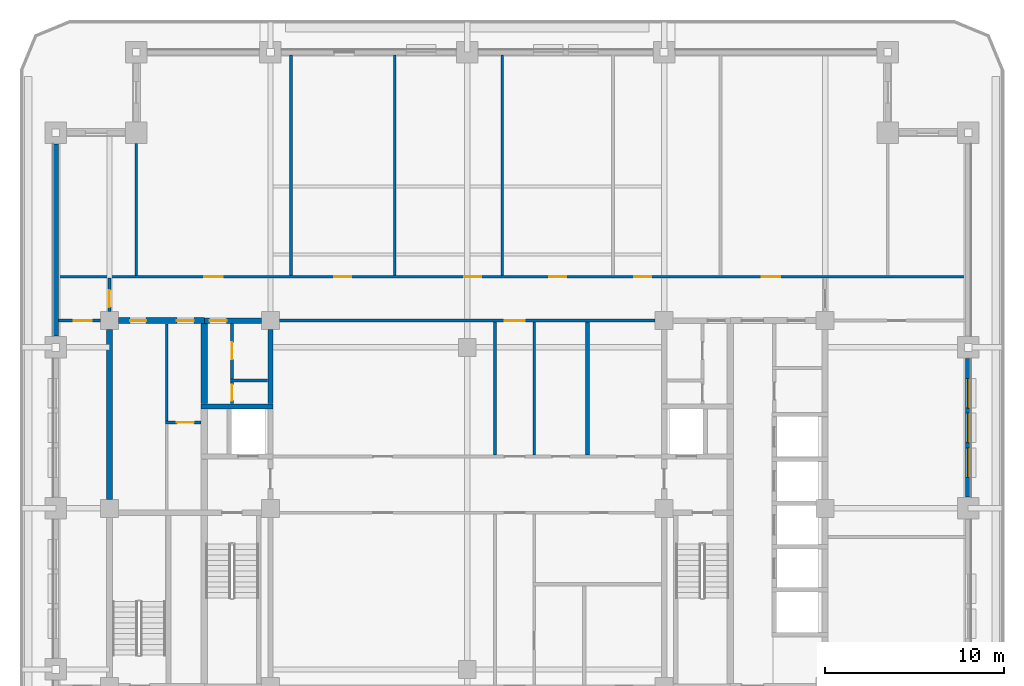
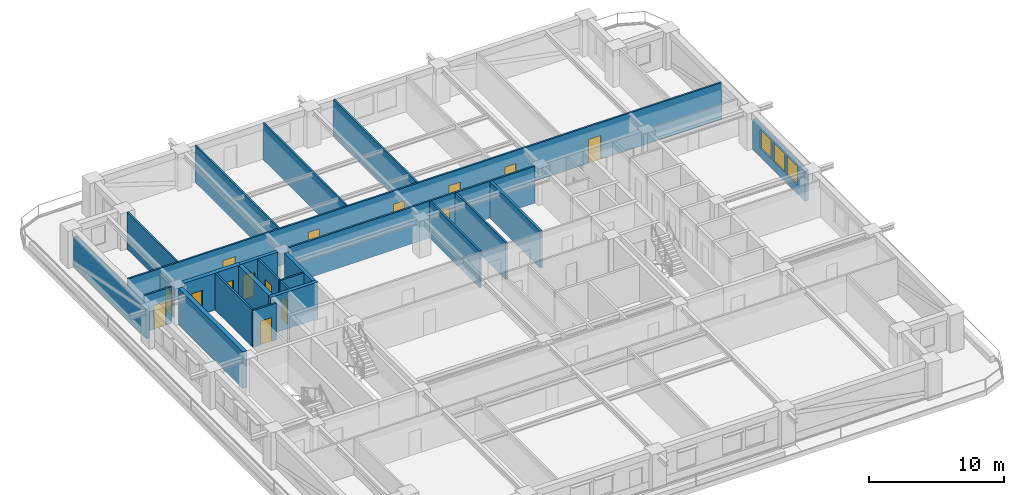
# One storey, part 5 of 14: 24 walls, 15 doors, 3 windows, 18 openings.
"""IFC4 building model written with IfcOpenShell, lengths in metres."""

from ifc_helpers import new_model, si_unit, direction, frame, frame_2d, origin, place, context, subcontext, project, spatial, rectangle, extrude, material, layer, layer_set, type_object, element, fill, save


model = new_model("IFC4")

# Units and contexts
model_context = context("Model", 3, precision=1e-05, world=origin(), true_north=direction((0.0, 1.0)))
body_context = subcontext(model_context, "Body", "Model", "MODEL_VIEW")
ifc_project = project(units=[si_unit("LENGTHUNIT", "METRE"), si_unit("AREAUNIT", "SQUARE_METRE"), si_unit("VOLUMEUNIT", "CUBIC_METRE"), si_unit("PLANEANGLEUNIT", "RADIAN"), si_unit("MASSUNIT", "GRAM", prefix="KILO")], contexts=[model_context])

# Site, building, storey
site_placement = place(None, origin())
site = spatial("IfcSite", under=ifc_project, at=site_placement, CompositionType="ELEMENT")
building_placement = place(site_placement, origin())
building = spatial("IfcBuilding", under=site, at=building_placement, Name="Zulmaris Gate Convention Tower", CompositionType="ELEMENT")
storey_placement = place(building_placement, frame((0.0, 0.0, 102.06982421875)))
storey = spatial("IfcBuildingStorey", under=building, at=storey_placement, Name="L25", CompositionType="ELEMENT", Elevation=102.06982421875)

# Wall
ifc_material_1 = material(Name="Concrete C50/60", Category="concrete")
ifc_layer_1 = layer(ifc_material_1, 0.300048828125, Name="Concrete C50/60")
ifc_layer_set_1 = layer_set([ifc_layer_1], Name="Concrete C50/60")
wall_type_1 = type_object("IfcWallType", Name="CORE-300", PredefinedType="SHEAR", material=ifc_layer_set_1)
wall_1_placement = place(storey_placement, frame((-14.875, 5.699951171875, 0.0), z_axis=(0.0, 0.0, 1.0), x_axis=(1.0, 0.0, 0.0)))
element("IfcWall", 1, at=wall_1_placement, inside=storey, type_object=wall_type_1, Name="WL-L25-015", PredefinedType="SHEAR", context=body_context, shape_type="SweptSolid", body=[
    extrude(rectangle(XDim=4.02490234375, YDim=0.300048828125, at=frame_2d((2.012451171875, 0.0))), origin(), (0.0, 0.0, 1.0), 3.320068359375),
])

# Wall, opening, door
wall_2_placement = place(storey_placement, frame((-14.699951171875, 10.5, 0.0), z_axis=(0.0, 0.0, 1.0), x_axis=(1.0, 0.0, 0.0)))
wall_2 = element("IfcWall", 2, at=wall_2_placement, inside=storey, type_object=wall_type_1, Name="WL-L25-018", PredefinedType="SHEAR", context=body_context, shape_type="SweptSolid", body=[
    extrude(rectangle(XDim=3.196044921875, YDim=0.300048828125, at=frame_2d((1.59814453125, 0.0))), origin(), (0.0, 0.0, 1.0), 3.320068359375),
])
opening_1_placement = place(wall_2_placement, frame((0.304931640625, 0.0, 0.0)))
opening_1 = element("IfcOpeningElement", 3, at=opening_1_placement, cuts=wall_2, Name="Opening D-11", PredefinedType="OPENING", context=body_context, shape_type="SweptSolid", body=[
    extrude(rectangle(XDim=0.949951171875, YDim=2.14990234375, at=frame_2d((0.47509765625, 1.074951171875))), frame((0.0, 0.16015625, 0.0), z_axis=(0.0, -1.0, 0.0), x_axis=(1.0, 0.0, 0.0)), (0.0, 0.0, 1.0), 0.320068359375),
])
ifc_material_2 = material(Name="Fire-Rated Timber", Category="wood")
door_type_1 = type_object("IfcDoorType", Name="DR-950-FD", OperationType="NOTDEFINED", PredefinedType="DOOR", material=ifc_material_2)
door_1_placement = place(opening_1_placement, origin())
door_1 = element("IfcDoor", 4, at=door_1_placement, inside=storey, type_object=door_type_1, Name="L25 Core West Passage Door 07", OperationType="SINGLE_SWING_RIGHT", OverallHeight=2.14990234375, OverallWidth=0.949951171875, PredefinedType="DOOR", context=body_context, shape_type="SweptSolid", body=[
    extrude(rectangle(XDim=0.949951171875, YDim=2.14990234375, at=frame_2d((0.47509765625, 1.074951171875))), frame((0.0, 0.02490234375, 0.0), z_axis=(0.0, -1.0, 0.0), x_axis=(1.0, 0.0, 0.0)), (0.0, 0.0, 1.0), 0.050048828125),
])
fill(opening_1, door_1)

# Wall
wall_3_placement = place(storey_placement, frame((-11.0, 5.85205078125, 0.0), z_axis=(0.0, 0.0, 1.0), x_axis=(0.0, 1.0, 0.0)))
element("IfcWall", 5, at=wall_3_placement, inside=storey, type_object=wall_type_1, Name="WL-L25-049", PredefinedType="SHEAR", context=body_context, shape_type="SweptSolid", body=[
    extrude(rectangle(XDim=4.14404296875, YDim=0.300048828125, at=frame_2d((2.072021484375, 0.0))), origin(), (0.0, 0.0, 1.0), 3.320068359375),
])

# Wall, openings, doors
ifc_material_3 = material(Name="Concrete C55/67", Category="concrete")
ifc_layer_2 = layer(ifc_material_3, 0.35009765625, Name="Concrete C55/67")
ifc_layer_set_2 = layer_set([ifc_layer_2], Name="Concrete C55/67")
wall_type_2 = type_object("IfcWallType", Name="CORE-350", PredefinedType="SHEAR", material=ifc_layer_set_2)
wall_4_placement = place(storey_placement, frame((-19.49609375, 10.5, 0.0), z_axis=(0.0, 0.0, 1.0), x_axis=(1.0, 0.0, 0.0)))
wall_4 = element("IfcWall", 6, at=wall_4_placement, inside=storey, type_object=wall_type_2, Name="WL-L25-017", PredefinedType="SHEAR", context=body_context, shape_type="SweptSolid", body=[
    extrude(rectangle(XDim=4.796142578125, YDim=0.35009765625, at=frame_2d((2.39794921875, 0.0))), origin(), (0.0, 0.0, 1.0), 3.320068359375),
])
opening_2_placement = place(wall_4_placement, frame((0.64599609375, 0.0, 0.0)))
opening_2 = element("IfcOpeningElement", 7, at=opening_2_placement, cuts=wall_4, Name="Opening D-12", PredefinedType="OPENING", context=body_context, shape_type="SweptSolid", body=[
    extrude(rectangle(XDim=0.89990234375, YDim=2.14990234375, at=frame_2d((0.449951171875, 1.074951171875))), frame((0.0, 0.18505859375, 0.0), z_axis=(0.0, -1.0, 0.0), x_axis=(1.0, 0.0, 0.0)), (0.0, 0.0, 1.0), 0.3701171875),
])
opening_3_placement = place(wall_4_placement, frame((3.27099609375, 0.0, 0.0)))
opening_3 = element("IfcOpeningElement", 8, at=opening_3_placement, cuts=wall_4, Name="Opening D-11", PredefinedType="OPENING", context=body_context, shape_type="SweptSolid", body=[
    extrude(rectangle(XDim=0.949951171875, YDim=2.14990234375, at=frame_2d((0.47509765625, 1.074951171875))), frame((0.0, 0.18505859375, 0.0), z_axis=(0.0, -1.0, 0.0), x_axis=(1.0, 0.0, 0.0)), (0.0, 0.0, 1.0), 0.3701171875),
])
door_type_2 = type_object("IfcDoorType", Name="DR-900-FD", OperationType="NOTDEFINED", PredefinedType="DOOR", material=ifc_material_2)
door_2_placement = place(opening_2_placement, origin())
door_2 = element("IfcDoor", 9, at=door_2_placement, inside=storey, type_object=door_type_2, Name="L25 Document Vault Door 14", OperationType="SINGLE_SWING_LEFT", OverallHeight=2.14990234375, OverallWidth=0.89990234375, PredefinedType="DOOR", context=body_context, shape_type="SweptSolid", body=[
    extrude(rectangle(XDim=0.89990234375, YDim=2.14990234375, at=frame_2d((0.449951171875, 1.074951171875))), frame((0.0, 0.02490234375, 0.0), z_axis=(0.0, -1.0, 0.0), x_axis=(1.0, 0.0, 0.0)), (0.0, 0.0, 1.0), 0.050048828125),
])
fill(opening_2, door_2)
door_3_placement = place(opening_3_placement, origin())
door_3 = element("IfcDoor", 10, at=door_3_placement, inside=storey, type_object=door_type_1, Name="L25 Beverage Pantry Door 15", OperationType="SINGLE_SWING_RIGHT", OverallHeight=2.14990234375, OverallWidth=0.949951171875, PredefinedType="DOOR", context=body_context, shape_type="SweptSolid", body=[
    extrude(rectangle(XDim=0.949951171875, YDim=2.14990234375, at=frame_2d((0.47509765625, 1.074951171875))), frame((0.0, 0.02490234375, 0.0), z_axis=(0.0, -1.0, 0.0), x_axis=(1.0, 0.0, 0.0)), (0.0, 0.0, 1.0), 0.050048828125),
])
fill(opening_3, door_3)

# Walls
wall_5_placement = place(storey_placement, frame((-20.0, 0.50390625, 0.0), z_axis=(0.0, 0.0, 1.0), x_axis=(0.0, 1.0, 0.0)))
element("IfcWall", 11, at=wall_5_placement, inside=storey, type_object=wall_type_2, Name="WL-L25-038", PredefinedType="SHEAR", context=body_context, shape_type="SweptSolid", body=[
    extrude(rectangle(XDim=9.4921875, YDim=0.35009765625, at=frame_2d((4.74609375, 0.0))), origin(), (0.0, 0.0, 1.0), 3.320068359375),
])
wall_6_placement = place(storey_placement, frame((-14.699951171875, 5.85205078125, 0.0), z_axis=(0.0, 0.0, 1.0), x_axis=(0.0, 1.0, 0.0)))
element("IfcWall", 12, at=wall_6_placement, inside=storey, type_object=wall_type_2, Name="WL-L25-043", PredefinedType="SHEAR", context=body_context, shape_type="SweptSolid", body=[
    extrude(rectangle(XDim=4.470947265625, YDim=0.35009765625, at=frame_2d((2.2353515625, 0.0))), origin(), (0.0, 0.0, 1.0), 3.320068359375),
])

# Wall, opening, door
ifc_material_4 = material(Name="Gypsum Metal Stud Partition")
ifc_layer_3 = layer(ifc_material_4, 0.14990234375, Name="Gypsum Metal Stud Partition")
ifc_layer_set_3 = layer_set([ifc_layer_3], Name="Gypsum Metal Stud Partition")
wall_type_3 = type_object("IfcWallType", Name="PART-150", PredefinedType="PARTITIONING", material=ifc_layer_set_3)
wall_7_placement = place(storey_placement, frame((-16.875, 4.800048828125, 0.0), z_axis=(0.0, 0.0, 1.0), x_axis=(1.0, 0.0, 0.0)))
wall_7 = element("IfcWall", 13, at=wall_7_placement, inside=storey, type_object=wall_type_3, Name="WL-L25-029", PredefinedType="PARTITIONING", context=body_context, shape_type="SweptSolid", body=[
    extrude(rectangle(XDim=1.9970703125, YDim=0.14990234375, at=frame_2d((0.99853515625, 0.0))), origin(), (0.0, 0.0, 1.0), 3.320068359375),
])
opening_4_placement = place(wall_7_placement, frame((0.64990234375, 0.0, 0.0)))
opening_4 = element("IfcOpeningElement", 14, at=opening_4_placement, cuts=wall_7, Name="Opening D-11", PredefinedType="OPENING", context=body_context, shape_type="SweptSolid", body=[
    extrude(rectangle(XDim=0.949951171875, YDim=2.14990234375, at=frame_2d((0.47509765625, 1.074951171875))), frame((0.0, 0.0849609375, 0.0), z_axis=(0.0, -1.0, 0.0), x_axis=(1.0, 0.0, 0.0)), (0.0, 0.0, 1.0), 0.169921875),
])
door_4_placement = place(opening_4_placement, origin())
door_4 = element("IfcDoor", 15, at=door_4_placement, inside=storey, type_object=door_type_1, Name="L25 Cleaners Closet Door 16", OperationType="SINGLE_SWING_LEFT", OverallHeight=2.14990234375, OverallWidth=0.949951171875, PredefinedType="DOOR", context=body_context, shape_type="SweptSolid", body=[
    extrude(rectangle(XDim=0.949951171875, YDim=2.14990234375, at=frame_2d((0.47509765625, 1.074951171875))), frame((0.0, 0.02490234375, 0.0), z_axis=(0.0, -1.0, 0.0), x_axis=(1.0, 0.0, 0.0)), (0.0, 0.0, 1.0), 0.050048828125),
])
fill(opening_4, door_4)

# Wall
wall_8_placement = place(storey_placement, frame((-13.22509765625, 7.14990234375, 0.0), z_axis=(0.0, 0.0, 1.0), x_axis=(1.0, 0.0, 0.0)))
element("IfcWall", 16, at=wall_8_placement, inside=storey, type_object=wall_type_3, Name="WL-L25-030", PredefinedType="PARTITIONING", context=body_context, shape_type="SweptSolid", body=[
    extrude(rectangle(XDim=2.072021484375, YDim=0.14990234375, at=frame_2d((1.0361328125, 0.0))), origin(), (0.0, 0.0, 1.0), 3.320068359375),
])

# Wall, opening, door
wall_9_placement = place(storey_placement, frame((-22.8349609375, 10.5, 0.0), z_axis=(0.0, 0.0, 1.0), x_axis=(1.0, 0.0, 0.0)))
wall_9 = element("IfcWall", 17, at=wall_9_placement, inside=storey, type_object=wall_type_3, Name="WL-L25-033", PredefinedType="PARTITIONING", context=body_context, shape_type="SweptSolid", body=[
    extrude(rectangle(XDim=2.328857421875, YDim=0.14990234375, at=frame_2d((1.16455078125, 0.0))), origin(), (0.0, 0.0, 1.0), 3.320068359375),
])
opening_5_placement = place(wall_9_placement, frame((0.8349609375, 0.0, 0.0)))
opening_5 = element("IfcOpeningElement", 18, at=opening_5_placement, cuts=wall_9, Name="Opening D-10", PredefinedType="OPENING", context=body_context, shape_type="SweptSolid", body=[
    extrude(rectangle(XDim=1.0, YDim=2.14990234375, at=frame_2d((0.5, 1.074951171875))), frame((0.0, 0.0849609375, 0.0), z_axis=(0.0, -1.0, 0.0), x_axis=(1.0, 0.0, 0.0)), (0.0, 0.0, 1.0), 0.169921875),
])
door_type_3 = type_object("IfcDoorType", Name="DR-1000-FD", OperationType="NOTDEFINED", PredefinedType="DOOR", material=ifc_material_2)
door_5_placement = place(opening_5_placement, origin())
door_5 = element("IfcDoor", 19, at=door_5_placement, inside=storey, type_object=door_type_3, Name="L25 West Workplace North Door 47", OperationType="SINGLE_SWING_RIGHT", OverallHeight=2.14990234375, OverallWidth=1.0, PredefinedType="DOOR", context=body_context, shape_type="SweptSolid", body=[
    extrude(rectangle(XDim=1.0, YDim=2.14990234375, at=frame_2d((0.5, 1.074951171875))), frame((0.0, 0.02490234375, 0.0), z_axis=(0.0, -1.0, 0.0), x_axis=(1.0, 0.0, 0.0)), (0.0, 0.0, 1.0), 0.050048828125),
])
fill(opening_5, door_5)

wall_10_placement = place(storey_placement, frame((-10.493896484375, 10.5, 0.0), z_axis=(0.0, 0.0, 1.0), x_axis=(1.0, 0.0, 0.0)))
wall_10 = element("IfcWall", 20, at=wall_10_placement, inside=storey, type_object=wall_type_3, Name="WL-L25-034", PredefinedType="PARTITIONING", context=body_context, shape_type="SweptSolid", body=[
    extrude(rectangle(XDim=20.98779296875, YDim=0.14990234375, at=frame_2d((10.493896484375, 0.0))), origin(), (0.0, 0.0, 1.0), 3.320068359375),
])
opening_6_placement = place(wall_10_placement, frame((12.593994140625, 0.0, 0.0)))
opening_6 = element("IfcOpeningElement", 21, at=opening_6_placement, cuts=wall_10, Name="Opening D-08", PredefinedType="OPENING", context=body_context, shape_type="SweptSolid", body=[
    extrude(rectangle(XDim=1.10009765625, YDim=2.14990234375, at=frame_2d((0.550048828125, 1.074951171875))), frame((0.0, 0.0849609375, 0.0), z_axis=(0.0, -1.0, 0.0), x_axis=(1.0, 0.0, 0.0)), (0.0, 0.0, 1.0), 0.169921875),
])
ifc_material_5 = material(Name="Fire-Rated Steel", Category="steel")
door_type_4 = type_object("IfcDoorType", Name="DR-1100-FD", OperationType="NOTDEFINED", PredefinedType="DOOR", material=ifc_material_5)
door_6_placement = place(opening_6_placement, origin())
door_6 = element("IfcDoor", 22, at=door_6_placement, inside=storey, type_object=door_type_4, Name="L25 North Gallery Link Door 25", OperationType="SINGLE_SWING_RIGHT", OverallHeight=2.14990234375, OverallWidth=1.10009765625, PredefinedType="DOOR", context=body_context, shape_type="SweptSolid", body=[
    extrude(rectangle(XDim=1.10009765625, YDim=2.14990234375, at=frame_2d((0.550048828125, 1.074951171875))), frame((0.0, 0.02490234375, 0.0), z_axis=(0.0, -1.0, 0.0), x_axis=(1.0, 0.0, 0.0)), (0.0, 0.0, 1.0), 0.050048828125),
])
fill(opening_6, door_6)

# Wall, openings, doors
wall_11_placement = place(storey_placement, frame((-22.8349609375, 12.949951171875, 0.0), z_axis=(0.0, 0.0, 1.0), x_axis=(1.0, 0.0, 0.0)))
wall_11 = element("IfcWall", 23, at=wall_11_placement, inside=storey, type_object=wall_type_3, Name="WL-L25-036", PredefinedType="PARTITIONING", context=body_context, shape_type="SweptSolid", body=[
    extrude(rectangle(XDim=50.669921875, YDim=0.14990234375, at=frame_2d((25.3349609375, 0.0))), origin(), (0.0, 0.0, 1.0), 3.320068359375),
])
opening_7_placement = place(wall_11_placement, frame((8.1298828125, 0.0, 0.0)))
opening_7 = element("IfcOpeningElement", 24, at=opening_7_placement, cuts=wall_11, Name="Opening D-09", PredefinedType="OPENING", context=body_context, shape_type="SweptSolid", body=[
    extrude(rectangle(XDim=1.050048828125, YDim=2.14990234375, at=frame_2d((0.52490234375, 1.074951171875))), frame((0.0, 0.0849609375, 0.0), z_axis=(0.0, -1.0, 0.0), x_axis=(1.0, 0.0, 0.0)), (0.0, 0.0, 1.0), 0.169921875),
])
opening_8_placement = place(wall_11_placement, frame((15.409912109375, 0.0, 0.0)))
opening_8 = element("IfcOpeningElement", 25, at=opening_8_placement, cuts=wall_11, Name="Opening D-11", PredefinedType="OPENING", context=body_context, shape_type="SweptSolid", body=[
    extrude(rectangle(XDim=0.949951171875, YDim=2.14990234375, at=frame_2d((0.47509765625, 1.074951171875))), frame((0.0, 0.0849609375, 0.0), z_axis=(0.0, -1.0, 0.0), x_axis=(1.0, 0.0, 0.0)), (0.0, 0.0, 1.0), 0.169921875),
])
opening_9_placement = place(wall_11_placement, frame((22.659912109375, 0.0, 0.0)))
opening_9 = element("IfcOpeningElement", 26, at=opening_9_placement, cuts=wall_11, Name="Opening D-11", PredefinedType="OPENING", context=body_context, shape_type="SweptSolid", body=[
    extrude(rectangle(XDim=0.949951171875, YDim=2.14990234375, at=frame_2d((0.47509765625, 1.074951171875))), frame((0.0, 0.0849609375, 0.0), z_axis=(0.0, -1.0, 0.0), x_axis=(1.0, 0.0, 0.0)), (0.0, 0.0, 1.0), 0.169921875),
])
opening_10_placement = place(wall_11_placement, frame((27.409912109375, 0.0, 0.0)))
opening_10 = element("IfcOpeningElement", 27, at=opening_10_placement, cuts=wall_11, Name="Opening D-11", PredefinedType="OPENING", context=body_context, shape_type="SweptSolid", body=[
    extrude(rectangle(XDim=0.949951171875, YDim=2.14990234375, at=frame_2d((0.47509765625, 1.074951171875))), frame((0.0, 0.0849609375, 0.0), z_axis=(0.0, -1.0, 0.0), x_axis=(1.0, 0.0, 0.0)), (0.0, 0.0, 1.0), 0.169921875),
])
opening_11_placement = place(wall_11_placement, frame((32.159912109375, 0.0, 0.0)))
opening_11 = element("IfcOpeningElement", 28, at=opening_11_placement, cuts=wall_11, Name="Opening D-11", PredefinedType="OPENING", context=body_context, shape_type="SweptSolid", body=[
    extrude(rectangle(XDim=0.949951171875, YDim=2.14990234375, at=frame_2d((0.47509765625, 1.074951171875))), frame((0.0, 0.0849609375, 0.0), z_axis=(0.0, -1.0, 0.0), x_axis=(1.0, 0.0, 0.0)), (0.0, 0.0, 1.0), 0.169921875),
])
opening_12_placement = place(wall_11_placement, frame((39.2900390625, 0.0, 0.0)))
opening_12 = element("IfcOpeningElement", 29, at=opening_12_placement, cuts=wall_11, Name="Opening D-09", PredefinedType="OPENING", context=body_context, shape_type="SweptSolid", body=[
    extrude(rectangle(XDim=1.050048828125, YDim=2.14990234375, at=frame_2d((0.52490234375, 1.074951171875))), frame((0.0, 0.0849609375, 0.0), z_axis=(0.0, -1.0, 0.0), x_axis=(1.0, 0.0, 0.0)), (0.0, 0.0, 1.0), 0.169921875),
])
door_type_5 = type_object("IfcDoorType", Name="DR-1050-FD", OperationType="NOTDEFINED", PredefinedType="DOOR", material=ifc_material_5)
door_7_placement = place(opening_7_placement, origin())
door_7 = element("IfcDoor", 30, at=door_7_placement, inside=storey, type_object=door_type_5, Name="L25 Executive Boardroom Door 29", OperationType="SINGLE_SWING_RIGHT", OverallHeight=2.14990234375, OverallWidth=1.050048828125, PredefinedType="DOOR", context=body_context, shape_type="SweptSolid", body=[
    extrude(rectangle(XDim=1.050048828125, YDim=2.14990234375, at=frame_2d((0.52490234375, 1.074951171875))), frame((0.0, 0.02490234375, 0.0), z_axis=(0.0, -1.0, 0.0), x_axis=(1.0, 0.0, 0.0)), (0.0, 0.0, 1.0), 0.050048828125),
])
fill(opening_7, door_7)
door_8_placement = place(opening_12_placement, origin())
door_8 = element("IfcDoor", 31, at=door_8_placement, inside=storey, type_object=door_type_5, Name="L25 Corporate Strategy Office Door 34", OperationType="SINGLE_SWING_LEFT", OverallHeight=2.14990234375, OverallWidth=1.050048828125, PredefinedType="DOOR", context=body_context, shape_type="SweptSolid", body=[
    extrude(rectangle(XDim=1.050048828125, YDim=2.14990234375, at=frame_2d((0.52490234375, 1.074951171875))), frame((0.0, 0.02490234375, 0.0), z_axis=(0.0, -1.0, 0.0), x_axis=(1.0, 0.0, 0.0)), (0.0, 0.0, 1.0), 0.050048828125),
])
fill(opening_12, door_8)
door_9_placement = place(opening_8_placement, origin())
door_9 = element("IfcDoor", 32, at=door_9_placement, inside=storey, type_object=door_type_1, Name="L25 Corporate Strategy Office Door 30", OperationType="SINGLE_SWING_LEFT", OverallHeight=2.14990234375, OverallWidth=0.949951171875, PredefinedType="DOOR", context=body_context, shape_type="SweptSolid", body=[
    extrude(rectangle(XDim=0.949951171875, YDim=2.14990234375, at=frame_2d((0.47509765625, 1.074951171875))), frame((0.0, 0.02490234375, 0.0), z_axis=(0.0, -1.0, 0.0), x_axis=(1.0, 0.0, 0.0)), (0.0, 0.0, 1.0), 0.050048828125),
])
fill(opening_8, door_9)
door_10_placement = place(opening_9_placement, origin())
door_10 = element("IfcDoor", 33, at=door_10_placement, inside=storey, type_object=door_type_1, Name="L25 Project Advisory Studio Door 31", OperationType="SINGLE_SWING_RIGHT", OverallHeight=2.14990234375, OverallWidth=0.949951171875, PredefinedType="DOOR", context=body_context, shape_type="SweptSolid", body=[
    extrude(rectangle(XDim=0.949951171875, YDim=2.14990234375, at=frame_2d((0.47509765625, 1.074951171875))), frame((0.0, 0.02490234375, 0.0), z_axis=(0.0, -1.0, 0.0), x_axis=(1.0, 0.0, 0.0)), (0.0, 0.0, 1.0), 0.050048828125),
])
fill(opening_9, door_10)
door_11_placement = place(opening_10_placement, origin())
door_11 = element("IfcDoor", 34, at=door_11_placement, inside=storey, type_object=door_type_1, Name="L25 Policy Research Study Door 32", OperationType="SINGLE_SWING_LEFT", OverallHeight=2.14990234375, OverallWidth=0.949951171875, PredefinedType="DOOR", context=body_context, shape_type="SweptSolid", body=[
    extrude(rectangle(XDim=0.949951171875, YDim=2.14990234375, at=frame_2d((0.47509765625, 1.074951171875))), frame((0.0, 0.02490234375, 0.0), z_axis=(0.0, -1.0, 0.0), x_axis=(1.0, 0.0, 0.0)), (0.0, 0.0, 1.0), 0.050048828125),
])
fill(opening_10, door_11)
door_12_placement = place(opening_11_placement, origin())
door_12 = element("IfcDoor", 35, at=door_12_placement, inside=storey, type_object=door_type_1, Name="L25 Executive Boardroom Door 33", OperationType="SINGLE_SWING_RIGHT", OverallHeight=2.14990234375, OverallWidth=0.949951171875, PredefinedType="DOOR", context=body_context, shape_type="SweptSolid", body=[
    extrude(rectangle(XDim=0.949951171875, YDim=2.14990234375, at=frame_2d((0.47509765625, 1.074951171875))), frame((0.0, 0.02490234375, 0.0), z_axis=(0.0, -1.0, 0.0), x_axis=(1.0, 0.0, 0.0)), (0.0, 0.0, 1.0), 0.050048828125),
])
fill(opening_11, door_12)

# Wall, opening, door
wall_12_placement = place(storey_placement, frame((-20.0, 11.006103515625, 0.0), z_axis=(0.0, 0.0, 1.0), x_axis=(0.0, 1.0, 0.0)))
wall_12 = element("IfcWall", 36, at=wall_12_placement, inside=storey, type_object=wall_type_3, Name="WL-L25-073", PredefinedType="PARTITIONING", context=body_context, shape_type="SweptSolid", body=[
    extrude(rectangle(XDim=1.865966796875, YDim=0.14990234375, at=frame_2d((0.93310546875, 0.0))), origin(), (0.0, 0.0, 1.0), 2.81005859375),
])
opening_13_placement = place(wall_12_placement, frame((0.239013671875, 0.0, 0.0)))
opening_13 = element("IfcOpeningElement", 37, at=opening_13_placement, cuts=wall_12, Name="Opening D-11", PredefinedType="OPENING", context=body_context, shape_type="SweptSolid", body=[
    extrude(rectangle(XDim=0.949951171875, YDim=2.14990234375, at=frame_2d((0.47509765625, 1.074951171875))), frame((0.0, 0.0849609375, 0.0), z_axis=(0.0, -1.0, 0.0), x_axis=(1.0, 0.0, 0.0)), (0.0, 0.0, 1.0), 0.169921875),
])
door_13_placement = place(opening_13_placement, origin())
door_13 = element("IfcDoor", 38, at=door_13_placement, inside=storey, type_object=door_type_1, Name="L25 NW Spur Door 45", OperationType="SINGLE_SWING_RIGHT", OverallHeight=2.14990234375, OverallWidth=0.949951171875, PredefinedType="DOOR", context=body_context, shape_type="SweptSolid", body=[
    extrude(rectangle(XDim=0.949951171875, YDim=2.14990234375, at=frame_2d((0.47509765625, 1.074951171875))), frame((0.0, 0.02490234375, 0.0), z_axis=(0.0, -1.0, 0.0), x_axis=(1.0, 0.0, 0.0)), (0.0, 0.0, 1.0), 0.050048828125),
])
fill(opening_13, door_13)

# Walls
wall_13_placement = place(storey_placement, frame((-18.5, 13.028076171875, 0.0), z_axis=(0.0, 0.0, 1.0), x_axis=(0.0, 1.0, 0.0)))
element("IfcWall", 39, at=wall_13_placement, inside=storey, type_object=wall_type_3, Name="WL-L25-075", PredefinedType="PARTITIONING", context=body_context, shape_type="SweptSolid", body=[
    extrude(rectangle(XDim=7.365966796875, YDim=0.14990234375, at=frame_2d((3.68310546875, 0.0))), origin(), (0.0, 0.0, 1.0), 3.320068359375),
])
wall_14_placement = place(storey_placement, frame((-16.800048828125, 4.8779296875, 0.0), z_axis=(0.0, 0.0, 1.0), x_axis=(0.0, 1.0, 0.0)))
element("IfcWall", 40, at=wall_14_placement, inside=storey, type_object=wall_type_3, Name="WL-L25-077", PredefinedType="PARTITIONING", context=body_context, shape_type="SweptSolid", body=[
    extrude(rectangle(XDim=5.444091796875, YDim=0.14990234375, at=frame_2d((2.72216796875, 0.0))), origin(), (0.0, 0.0, 1.0), 3.320068359375),
])

# Wall, opening, door
wall_15_placement = place(storey_placement, frame((-13.14990234375, 5.85302734375, 0.0), z_axis=(0.0, 0.0, 1.0), x_axis=(0.0, 1.0, 0.0)))
wall_15 = element("IfcWall", 41, at=wall_15_placement, inside=storey, type_object=wall_type_3, Name="WL-L25-078", PredefinedType="PARTITIONING", context=body_context, shape_type="SweptSolid", body=[
    extrude(rectangle(XDim=1.218994140625, YDim=0.14990234375, at=frame_2d((0.609375, 0.0))), origin(), (0.0, 0.0, 1.0), 3.320068359375),
])
opening_14_placement = place(wall_15_placement, frame((0.1689453125, 0.0, 0.0)))
opening_14 = element("IfcOpeningElement", 42, at=opening_14_placement, cuts=wall_15, Name="Opening D-12", PredefinedType="OPENING", context=body_context, shape_type="SweptSolid", body=[
    extrude(rectangle(XDim=0.89990234375, YDim=2.14990234375, at=frame_2d((0.449951171875, 1.074951171875))), frame((0.0, 0.0849609375, 0.0), z_axis=(0.0, -1.0, 0.0), x_axis=(1.0, 0.0, 0.0)), (0.0, 0.0, 1.0), 0.169921875),
])
door_14_placement = place(opening_14_placement, origin())
door_14 = element("IfcDoor", 43, at=door_14_placement, inside=storey, type_object=door_type_2, Name="L25 Stationery Closet Door 08", OperationType="SINGLE_SWING_LEFT", OverallHeight=2.14990234375, OverallWidth=0.89990234375, PredefinedType="DOOR", context=body_context, shape_type="SweptSolid", body=[
    extrude(rectangle(XDim=0.89990234375, YDim=2.14990234375, at=frame_2d((0.449951171875, 1.074951171875))), frame((0.0, 0.02490234375, 0.0), z_axis=(0.0, -1.0, 0.0), x_axis=(1.0, 0.0, 0.0)), (0.0, 0.0, 1.0), 0.050048828125),
])
fill(opening_14, door_14)

wall_16_placement = place(storey_placement, frame((-13.14990234375, 7.22802734375, 0.0), z_axis=(0.0, 0.0, 1.0), x_axis=(0.0, 1.0, 0.0)))
wall_16 = element("IfcWall", 44, at=wall_16_placement, inside=storey, type_object=wall_type_3, Name="WL-L25-079", PredefinedType="PARTITIONING", context=body_context, shape_type="SweptSolid", body=[
    extrude(rectangle(XDim=3.118896484375, YDim=0.14990234375, at=frame_2d((1.5595703125, 0.0))), origin(), (0.0, 0.0, 1.0), 3.320068359375),
])
opening_15_placement = place(wall_16_placement, frame((1.096923828125, 0.0, 0.0)))
opening_15 = element("IfcOpeningElement", 45, at=opening_15_placement, cuts=wall_16, Name="Opening D-11", PredefinedType="OPENING", context=body_context, shape_type="SweptSolid", body=[
    extrude(rectangle(XDim=0.949951171875, YDim=2.14990234375, at=frame_2d((0.47509765625, 1.074951171875))), frame((0.0, 0.0849609375, 0.0), z_axis=(0.0, -1.0, 0.0), x_axis=(1.0, 0.0, 0.0)), (0.0, 0.0, 1.0), 0.169921875),
])
door_15_placement = place(opening_15_placement, origin())
door_15 = element("IfcDoor", 46, at=door_15_placement, inside=storey, type_object=door_type_1, Name="L25 Meter Closet Door 09", OperationType="SINGLE_SWING_RIGHT", OverallHeight=2.14990234375, OverallWidth=0.949951171875, PredefinedType="DOOR", context=body_context, shape_type="SweptSolid", body=[
    extrude(rectangle(XDim=0.949951171875, YDim=2.14990234375, at=frame_2d((0.47509765625, 1.074951171875))), frame((0.0, 0.02490234375, 0.0), z_axis=(0.0, -1.0, 0.0), x_axis=(1.0, 0.0, 0.0)), (0.0, 0.0, 1.0), 0.050048828125),
])
fill(opening_15, door_15)

# Walls
for number, where, z_axis, x_axis, name in (
    (47, (-9.85009765625, 13.028076171875, 0.0), (0.0, 0.0, 1.0), (0.0, 1.0, 0.0), "WL-L25-080"),
    (48, (-4.050048828125, 13.028076171875, 0.0), (0.0, 0.0, 1.0), (0.0, 1.0, 0.0), "WL-L25-082"),
):
    element("IfcWall", number, at=place(storey_placement, frame(where, z_axis=z_axis, x_axis=x_axis)), inside=storey, type_object=wall_type_3, Name=name, PredefinedType="PARTITIONING", context=body_context, shape_type="SweptSolid", body=[
        extrude(rectangle(XDim=12.306884765625, YDim=0.14990234375, at=frame_2d((6.1533203125, 0.0))), origin(), (0.0, 0.0, 1.0), 3.320068359375),
    ])
wall_17_placement = place(storey_placement, frame((1.550048828125, 2.97802734375, 0.0), z_axis=(0.0, 0.0, 1.0), x_axis=(0.0, 1.0, 0.0)))
element("IfcWall", 49, at=wall_17_placement, inside=storey, type_object=wall_type_3, Name="WL-L25-084", PredefinedType="PARTITIONING", context=body_context, shape_type="SweptSolid", body=[
    extrude(rectangle(XDim=7.444091796875, YDim=0.14990234375, at=frame_2d((3.72216796875, 0.0))), origin(), (0.0, 0.0, 1.0), 3.320068359375),
])
wall_18_placement = place(storey_placement, frame((1.949951171875, 13.028076171875, 0.0), z_axis=(0.0, 0.0, 1.0), x_axis=(0.0, 1.0, 0.0)))
element("IfcWall", 50, at=wall_18_placement, inside=storey, type_object=wall_type_3, Name="WL-L25-085", PredefinedType="PARTITIONING", context=body_context, shape_type="SweptSolid", body=[
    extrude(rectangle(XDim=12.306884765625, YDim=0.14990234375, at=frame_2d((6.1533203125, 0.0))), origin(), (0.0, 0.0, 1.0), 3.320068359375),
])
wall_19_placement = place(storey_placement, frame((3.75, 2.97802734375, 0.0), z_axis=(0.0, 0.0, 1.0), x_axis=(0.0, 1.0, 0.0)))
element("IfcWall", 51, at=wall_19_placement, inside=storey, type_object=wall_type_3, Name="WL-L25-088", PredefinedType="PARTITIONING", context=body_context, shape_type="SweptSolid", body=[
    extrude(rectangle(XDim=7.444091796875, YDim=0.14990234375, at=frame_2d((3.72216796875, 0.0))), origin(), (0.0, 0.0, 1.0), 3.320068359375),
])
ifc_material_6 = material(Name="Autoclaved Aerated Concrete Block and Plasterboard", Category="concrete")
ifc_layer_4 = layer(ifc_material_6, 0.199951171875, Name="Autoclaved Aerated Concrete Block and Plasterboard")
ifc_layer_set_4 = layer_set([ifc_layer_4], Name="Autoclaved Aerated Concrete Block and Plasterboard")
wall_type_4 = type_object("IfcWallType", Name="PART-200", PredefinedType="PARTITIONING", material=ifc_layer_set_4)
wall_20_placement = place(storey_placement, frame((6.719970703125, 2.97802734375, 0.0), z_axis=(0.0, 0.0, 1.0), x_axis=(0.0, 1.0, 0.0)))
element("IfcWall", 52, at=wall_20_placement, inside=storey, type_object=wall_type_4, Name="WL-L25-091", PredefinedType="PARTITIONING", context=body_context, shape_type="SweptSolid", body=[
    extrude(rectangle(XDim=7.444091796875, YDim=0.199951171875, at=frame_2d((3.72216796875, 0.0))), origin(), (0.0, 0.0, 1.0), 3.320068359375),
])

# Wall, openings, windows
ifc_material_7 = material(Name="Precast concrete C40/50", Category="concrete")
ifc_layer_5 = layer(ifc_material_7, 0.300048828125, Name="Precast concrete C40/50")
ifc_layer_set_5 = layer_set([ifc_layer_5], Name="Precast concrete C40/50")
wall_type_5 = type_object("IfcWallType", Name="PRECAST-PIER-300", PredefinedType="STANDARD", material=ifc_layer_set_5)
wall_21_placement = place(storey_placement, frame((28.0, 0.6298828125, 0.0), z_axis=(0.0, 0.0, 1.0), x_axis=(0.0, 1.0, 0.0)))
wall_21 = element("IfcWall", 53, at=wall_21_placement, inside=storey, type_object=wall_type_5, Name="EW-L25-E-2_0", PredefinedType="STANDARD", context=body_context, shape_type="SweptSolid", body=[
    extrude(rectangle(XDim=7.740234375, YDim=0.300048828125, at=frame_2d((3.8701171875, 0.0))), origin(), (0.0, 0.0, 1.0), 2.712158203125),
])
opening_16_placement = place(wall_21_placement, frame((1.110107421875, 0.0, 0.800048828125)))
opening_16 = element("IfcOpeningElement", 54, at=opening_16_placement, cuts=wall_21, Name="Opening W-08", PredefinedType="OPENING", context=body_context, shape_type="SweptSolid", body=[
    extrude(rectangle(XDim=1.64990234375, YDim=1.699951171875, at=frame_2d((0.824951171875, 0.85009765625))), frame((0.0, 0.16015625, 0.0), z_axis=(0.0, -1.0, 0.0), x_axis=(1.0, 0.0, 0.0)), (0.0, 0.0, 1.0), 0.320068359375),
])
opening_17_placement = place(wall_21_placement, frame((3.044921875, 0.0, 0.800048828125)))
opening_17 = element("IfcOpeningElement", 55, at=opening_17_placement, cuts=wall_21, Name="Opening W-08", PredefinedType="OPENING", context=body_context, shape_type="SweptSolid", body=[
    extrude(rectangle(XDim=1.64990234375, YDim=1.699951171875, at=frame_2d((0.824951171875, 0.85009765625))), frame((0.0, 0.16015625, 0.0), z_axis=(0.0, -1.0, 0.0), x_axis=(1.0, 0.0, 0.0)), (0.0, 0.0, 1.0), 0.320068359375),
])
opening_18_placement = place(wall_21_placement, frame((4.97998046875, 0.0, 0.800048828125)))
opening_18 = element("IfcOpeningElement", 56, at=opening_18_placement, cuts=wall_21, Name="Opening W-08", PredefinedType="OPENING", context=body_context, shape_type="SweptSolid", body=[
    extrude(rectangle(XDim=1.64990234375, YDim=1.699951171875, at=frame_2d((0.824951171875, 0.85009765625))), frame((0.0, 0.16015625, 0.0), z_axis=(0.0, -1.0, 0.0), x_axis=(1.0, 0.0, 0.0)), (0.0, 0.0, 1.0), 0.320068359375),
])
ifc_material_8 = material(Name="Low-E Laminated Double Glazing in Aluminium Frame", Category="aluminium")
window_type = type_object("IfcWindowType", Name="WIN-1650x2150", PartitioningType="SINGLE_PANEL", PredefinedType="WINDOW", material=ifc_material_8)
window_1_placement = place(opening_16_placement, origin())
window_1 = element("IfcWindow", 57, at=window_1_placement, inside=storey, type_object=window_type, Name="WN-EW-L25-E-2_0-1", OverallHeight=1.699951171875, OverallWidth=1.64990234375, PartitioningType="SINGLE_PANEL", PredefinedType="WINDOW", context=body_context, shape_type="SweptSolid", body=[
    extrude(rectangle(XDim=1.64990234375, YDim=1.699951171875, at=frame_2d((0.824951171875, 0.85009765625))), frame((0.0, 0.030029296875, 0.0), z_axis=(0.0, -1.0, 0.0), x_axis=(1.0, 0.0, 0.0)), (0.0, 0.0, 1.0), 0.06005859375),
])
fill(opening_16, window_1)
window_2_placement = place(opening_17_placement, origin())
window_2 = element("IfcWindow", 58, at=window_2_placement, inside=storey, type_object=window_type, Name="WN-EW-L25-E-2_0-2", OverallHeight=1.699951171875, OverallWidth=1.64990234375, PartitioningType="SINGLE_PANEL", PredefinedType="WINDOW", context=body_context, shape_type="SweptSolid", body=[
    extrude(rectangle(XDim=1.64990234375, YDim=1.699951171875, at=frame_2d((0.824951171875, 0.85009765625))), frame((0.0, 0.030029296875, 0.0), z_axis=(0.0, -1.0, 0.0), x_axis=(1.0, 0.0, 0.0)), (0.0, 0.0, 1.0), 0.06005859375),
])
fill(opening_17, window_2)
window_3_placement = place(opening_18_placement, origin())
window_3 = element("IfcWindow", 59, at=window_3_placement, inside=storey, type_object=window_type, Name="WN-EW-L25-E-2_0-3", OverallHeight=1.699951171875, OverallWidth=1.64990234375, PartitioningType="SINGLE_PANEL", PredefinedType="WINDOW", context=body_context, shape_type="SweptSolid", body=[
    extrude(rectangle(XDim=1.64990234375, YDim=1.699951171875, at=frame_2d((0.824951171875, 0.85009765625))), frame((0.0, 0.030029296875, 0.0), z_axis=(0.0, -1.0, 0.0), x_axis=(1.0, 0.0, 0.0)), (0.0, 0.0, 1.0), 0.06005859375),
])
fill(opening_18, window_3)

# Wall
wall_22_placement = place(storey_placement, frame((-23.0, 20.3701171875, 0.0), z_axis=(0.0, 0.0, 1.0), x_axis=(0.0, -1.0, 0.0)))
element("IfcWall", 60, at=wall_22_placement, inside=storey, type_object=wall_type_5, Name="EW-L25-W-3_0", PredefinedType="STANDARD", context=body_context, shape_type="SweptSolid", body=[
    extrude(rectangle(XDim=10.740234375, YDim=0.300048828125, at=frame_2d((5.3701171875, 0.0))), origin(), (0.0, 0.0, 1.0), 2.712158203125),
])

save(model, "model.ifc")
